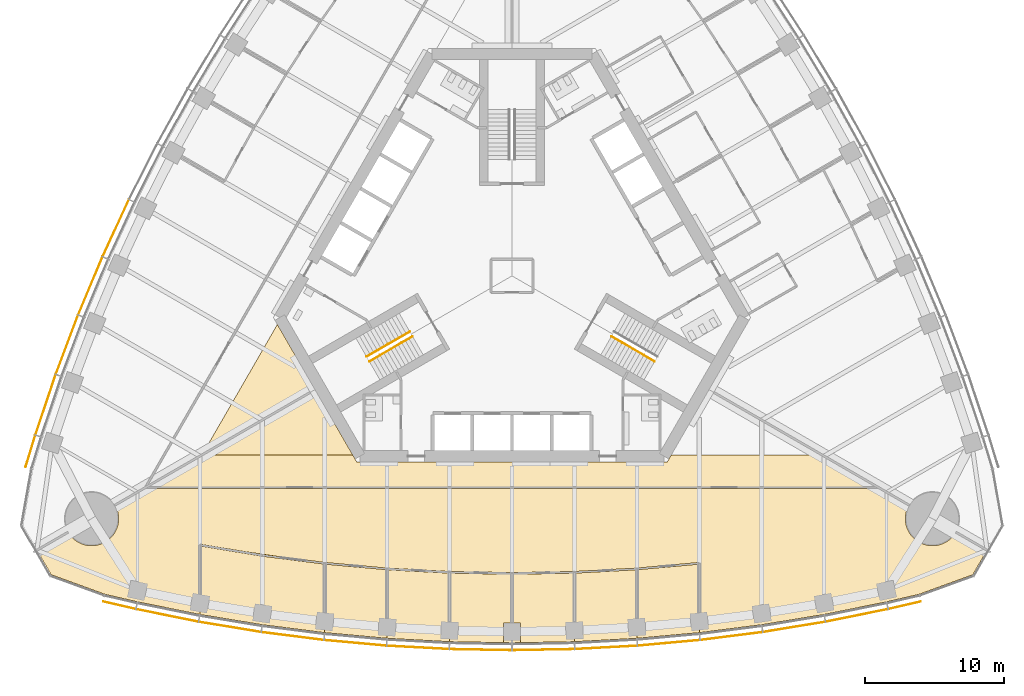
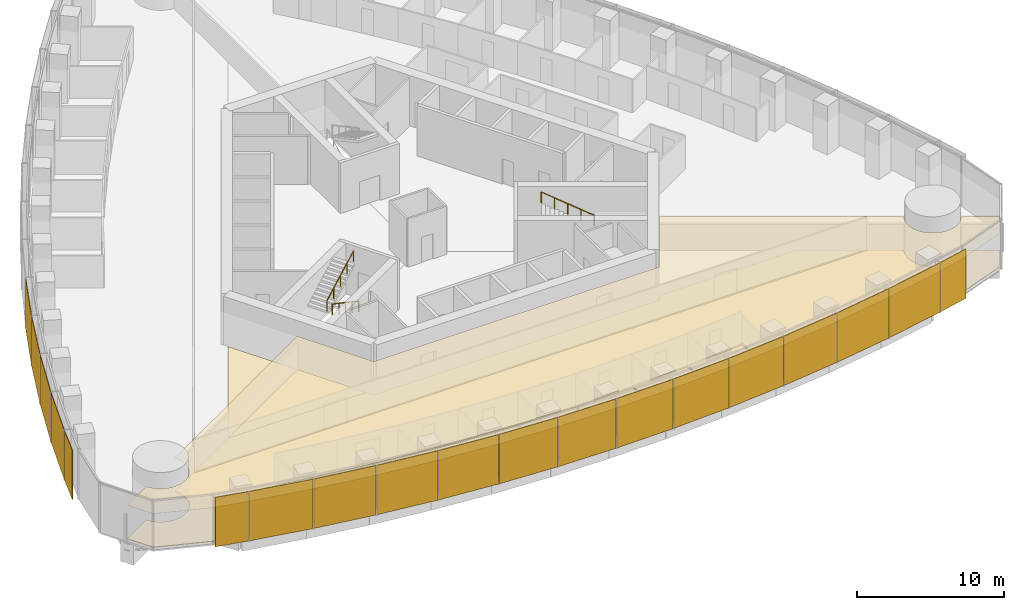
# One storey, part 17 of 21: 19 shading devices, 12 coverings, 3 railings.
"""IFC4 building model written with IfcOpenShell, lengths in metres."""

from ifc_helpers import new_model, si_unit, direction, frame, origin, origin_2d, place, context, subcontext, project, spatial, polyline, rectangle, circle, outline, extrude, material, layer, layer_set, type_object, element, save


model = new_model("IFC4")

# Units and contexts
model_context = context("Model", 3, precision=1e-05, world=origin(), true_north=direction((0.0, 1.0)))
body_context = subcontext(model_context, "Body", "Model", "MODEL_VIEW")
ifc_project = project(units=[si_unit("LENGTHUNIT", "METRE"), si_unit("AREAUNIT", "SQUARE_METRE"), si_unit("VOLUMEUNIT", "CUBIC_METRE"), si_unit("PLANEANGLEUNIT", "RADIAN"), si_unit("MASSUNIT", "GRAM", prefix="KILO")], contexts=[model_context])

# Site, building, storey
site_placement = place(None, origin())
site = spatial("IfcSite", under=ifc_project, at=site_placement, CompositionType="ELEMENT")
building_placement = place(site_placement, origin())
building = spatial("IfcBuilding", under=site, at=building_placement, Name="Trefoil Bronze Tower", CompositionType="ELEMENT")
storey_placement = place(building_placement, frame((0.0, 0.0, 153.5)))
storey = spatial("IfcBuildingStorey", under=building, at=storey_placement, Name="L35", CompositionType="ELEMENT", Elevation=153.5)

# Shading devices
ifc_material_1 = material(Name="Perforated bronze sheet", Category="bronze")
ifc_layer_1 = layer(ifc_material_1, 0.0400390625)
ifc_layer_set_1 = layer_set([ifc_layer_1], Name="Bronze solar screen panel")
shading_device_type = type_object("IfcShadingDeviceType", Name="Bronze solar screen panel", PredefinedType="SHUTTER", material=ifc_layer_set_1)
shading_device_1_placement = place(storey_placement, frame((-28.30078125, -23.748779296875, 0.050048828125), z_axis=(0.0, 0.0, 1.0), x_axis=(0.97420444715, -0.225667222151, 0.0)))
element("IfcShadingDevice", 1, at=shading_device_1_placement, inside=storey, type_object=shading_device_type, Name="Solar screen CW-A L35 F1 bay 1", PredefinedType="SHUTTER", context=body_context, shape_type="SweptSolid", body=[
    extrude(rectangle(XDim=2.39013671875, YDim=0.0400390625, at=origin_2d()), origin(), (0.0, 0.0, 1.0), 4.10009765625),
])
shading_device_2_placement = place(storey_placement, frame((-24.85693359375, -24.480224609375, 0.050048828125), z_axis=(0.0, 0.0, 1.0), x_axis=(0.980155155547, -0.198231861853, 0.0)))
element("IfcShadingDevice", 2, at=shading_device_2_placement, inside=storey, type_object=shading_device_type, Name="Solar screen CW-A L35 F1 bay 2", PredefinedType="SHUTTER", context=body_context, shape_type="SweptSolid", body=[
    extrude(rectangle(XDim=4.56103515625, YDim=0.0400390625, at=origin_2d()), origin(), (0.0, 0.0, 1.0), 4.10009765625),
])
shading_device_3_placement = place(storey_placement, frame((-20.337646484375, -25.30859375, 0.050048828125), z_axis=(0.0, 0.0, 1.0), x_axis=(0.986759655731, -0.162189339418, 0.0)))
element("IfcShadingDevice", 3, at=shading_device_3_placement, inside=storey, type_object=shading_device_type, Name="Solar screen CW-A L35 F1 bay 3", PredefinedType="SHUTTER", context=body_context, shape_type="SweptSolid", body=[
    extrude(rectangle(XDim=4.5302734375, YDim=0.0400390625, at=origin_2d()), origin(), (0.0, 0.0, 1.0), 4.10009765625),
])
shading_device_4_placement = place(storey_placement, frame((-15.818115234375, -25.96728515625, 0.050048828125), z_axis=(0.0, 0.0, 1.0), x_axis=(0.992011554286, -0.126147041833, 0.0)))
element("IfcShadingDevice", 4, at=shading_device_4_placement, inside=storey, type_object=shading_device_type, Name="Solar screen CW-A L35 F1 bay 4", PredefinedType="SHUTTER", context=body_context, shape_type="SweptSolid", body=[
    extrude(rectangle(XDim=4.50634765625, YDim=0.0400390625, at=origin_2d()), origin(), (0.0, 0.0, 1.0), 4.10009765625),
])
shading_device_5_placement = place(storey_placement, frame((-11.298583984375, -26.459228515625, 0.050048828125), z_axis=(0.0, 0.0, 1.0), x_axis=(0.995932279146, -0.090104913044, 0.0)))
element("IfcShadingDevice", 5, at=shading_device_5_placement, inside=storey, type_object=shading_device_type, Name="Solar screen CW-A L35 F1 bay 5", PredefinedType="SHUTTER", context=body_context, shape_type="SweptSolid", body=[
    extrude(rectangle(XDim=4.48828125, YDim=0.0400390625, at=origin_2d()), origin(), (0.0, 0.0, 1.0), 4.10009765625),
])
shading_device_6_placement = place(storey_placement, frame((-6.779296875, -26.785888671875, 0.050048828125), z_axis=(0.0, 0.0, 1.0), x_axis=(0.998537531923, -0.054062901701, 0.0)))
element("IfcShadingDevice", 6, at=shading_device_6_placement, inside=storey, type_object=shading_device_type, Name="Solar screen CW-A L35 F1 bay 6", PredefinedType="SHUTTER", context=body_context, shape_type="SweptSolid", body=[
    extrude(rectangle(XDim=4.4765625, YDim=0.0400390625, at=origin_2d()), origin(), (0.0, 0.0, 1.0), 4.10009765625),
])
for number, where, z_axis, x_axis, name in (
    (7, (-2.259765625, -26.948974609375, 0.050048828125), (0.0, 0.0, 1.0), (0.999837609322, -0.018020959612, 0.0), "Solar screen CW-A L35 F1 bay 7"),
    (8, (2.259765625, -26.948974609375, 0.050048828125), (0.0, 0.0, 1.0), (0.999837609322, 0.018020959612, 0.0), "Solar screen CW-A L35 F1 bay 8"),
):
    element("IfcShadingDevice", number, at=place(storey_placement, frame(where, z_axis=z_axis, x_axis=x_axis)), inside=storey, type_object=shading_device_type, Name=name, PredefinedType="SHUTTER", context=body_context, shape_type="SweptSolid", body=[
        extrude(rectangle(XDim=4.470703125, YDim=0.0400390625, at=origin_2d()), origin(), (0.0, 0.0, 1.0), 4.10009765625),
    ])
shading_device_7_placement = place(storey_placement, frame((6.779296875, -26.785888671875, 0.050048828125), z_axis=(0.0, 0.0, 1.0), x_axis=(0.998537531923, 0.054062901701, 0.0)))
element("IfcShadingDevice", 9, at=shading_device_7_placement, inside=storey, type_object=shading_device_type, Name="Solar screen CW-A L35 F1 bay 9", PredefinedType="SHUTTER", context=body_context, shape_type="SweptSolid", body=[
    extrude(rectangle(XDim=4.4765625, YDim=0.0400390625, at=origin_2d()), origin(), (0.0, 0.0, 1.0), 4.10009765625),
])
shading_device_8_placement = place(storey_placement, frame((11.298583984375, -26.459228515625, 0.050048828125), z_axis=(0.0, 0.0, 1.0), x_axis=(0.995932279146, 0.090104913044, 0.0)))
element("IfcShadingDevice", 10, at=shading_device_8_placement, inside=storey, type_object=shading_device_type, Name="Solar screen CW-A L35 F1 bay 10", PredefinedType="SHUTTER", context=body_context, shape_type="SweptSolid", body=[
    extrude(rectangle(XDim=4.48828125, YDim=0.0400390625, at=origin_2d()), origin(), (0.0, 0.0, 1.0), 4.10009765625),
])
shading_device_9_placement = place(storey_placement, frame((15.818115234375, -25.96728515625, 0.050048828125), z_axis=(0.0, 0.0, 1.0), x_axis=(0.992011554286, 0.126147041833, 0.0)))
element("IfcShadingDevice", 11, at=shading_device_9_placement, inside=storey, type_object=shading_device_type, Name="Solar screen CW-A L35 F1 bay 11", PredefinedType="SHUTTER", context=body_context, shape_type="SweptSolid", body=[
    extrude(rectangle(XDim=4.50634765625, YDim=0.0400390625, at=origin_2d()), origin(), (0.0, 0.0, 1.0), 4.10009765625),
])
shading_device_10_placement = place(storey_placement, frame((20.337646484375, -25.30859375, 0.050048828125), z_axis=(0.0, 0.0, 1.0), x_axis=(0.986759655731, 0.162189339418, 0.0)))
element("IfcShadingDevice", 12, at=shading_device_10_placement, inside=storey, type_object=shading_device_type, Name="Solar screen CW-A L35 F1 bay 12", PredefinedType="SHUTTER", context=body_context, shape_type="SweptSolid", body=[
    extrude(rectangle(XDim=4.5302734375, YDim=0.0400390625, at=origin_2d()), origin(), (0.0, 0.0, 1.0), 4.10009765625),
])
shading_device_11_placement = place(storey_placement, frame((24.85693359375, -24.480224609375, 0.050048828125), z_axis=(0.0, 0.0, 1.0), x_axis=(0.980155155547, 0.198231861853, 0.0)))
element("IfcShadingDevice", 13, at=shading_device_11_placement, inside=storey, type_object=shading_device_type, Name="Solar screen CW-A L35 F1 bay 13", PredefinedType="SHUTTER", context=body_context, shape_type="SweptSolid", body=[
    extrude(rectangle(XDim=4.56103515625, YDim=0.0400390625, at=origin_2d()), origin(), (0.0, 0.0, 1.0), 4.10009765625),
])
shading_device_12_placement = place(storey_placement, frame((28.30078125, -23.748779296875, 0.050048828125), z_axis=(0.0, 0.0, 1.0), x_axis=(0.97420444715, 0.225667222151, 0.0)))
element("IfcShadingDevice", 14, at=shading_device_12_placement, inside=storey, type_object=shading_device_type, Name="Solar screen CW-A L35 F1 bay 14", PredefinedType="SHUTTER", context=body_context, shape_type="SweptSolid", body=[
    extrude(rectangle(XDim=2.39013671875, YDim=0.0400390625, at=origin_2d()), origin(), (0.0, 0.0, 1.0), 4.10009765625),
])
shading_device_13_placement = place(storey_placement, frame((-28.563720703125, 3.444580078125, 0.050048828125), z_axis=(0.0, 0.0, 1.0), x_axis=(-0.419932995871, -0.907555110712, 0.0)))
element("IfcShadingDevice", 15, at=shading_device_13_placement, inside=storey, type_object=shading_device_type, Name="Solar screen CW-A L35 F3 bay 10", PredefinedType="SHUTTER", context=body_context, shape_type="SweptSolid", body=[
    extrude(rectangle(XDim=4.48828125, YDim=0.0400390625, at=origin_2d()), origin(), (0.0, 0.0, 1.0), 4.10009765625),
])
shading_device_14_placement = place(storey_placement, frame((-30.3974609375, -0.715087890625, 0.050048828125), z_axis=(0.0, 0.0, 1.0), x_axis=(-0.386759234303, -0.922180727776, 0.0)))
element("IfcShadingDevice", 16, at=shading_device_14_placement, inside=storey, type_object=shading_device_type, Name="Solar screen CW-A L35 F3 bay 11", PredefinedType="SHUTTER", context=body_context, shape_type="SweptSolid", body=[
    extrude(rectangle(XDim=4.50634765625, YDim=0.0400390625, at=origin_2d()), origin(), (0.0, 0.0, 1.0), 4.10009765625),
])
shading_device_15_placement = place(storey_placement, frame((-32.086669921875, -4.95849609375, 0.050048828125), z_axis=(0.0, 0.0, 1.0), x_axis=(-0.352919739707, -0.935653599002, 0.0)))
element("IfcShadingDevice", 17, at=shading_device_15_placement, inside=storey, type_object=shading_device_type, Name="Solar screen CW-A L35 F3 bay 12", PredefinedType="SHUTTER", context=body_context, shape_type="SweptSolid", body=[
    extrude(rectangle(XDim=4.5302734375, YDim=0.0400390625, at=origin_2d()), origin(), (0.0, 0.0, 1.0), 4.10009765625),
])
shading_device_16_placement = place(storey_placement, frame((-33.62890625, -9.286865234375, 0.050048828125), z_axis=(0.0, 0.0, 1.0), x_axis=(-0.318403749569, -0.947955195281, 0.0)))
element("IfcShadingDevice", 18, at=shading_device_16_placement, inside=storey, type_object=shading_device_type, Name="Solar screen CW-A L35 F3 bay 13", PredefinedType="SHUTTER", context=body_context, shape_type="SweptSolid", body=[
    extrude(rectangle(XDim=4.56103515625, YDim=0.0400390625, at=origin_2d()), origin(), (0.0, 0.0, 1.0), 4.10009765625),
])
shading_device_17_placement = place(storey_placement, frame((-34.717529296875, -12.634765625, 0.050048828125), z_axis=(0.0, 0.0, 1.0), x_axis=(-0.291668676391, -0.956519410787, 0.0)))
element("IfcShadingDevice", 19, at=shading_device_17_placement, inside=storey, type_object=shading_device_type, Name="Solar screen CW-A L35 F3 bay 14", PredefinedType="SHUTTER", context=body_context, shape_type="SweptSolid", body=[
    extrude(rectangle(XDim=2.39013671875, YDim=0.0400390625, at=origin_2d()), origin(), (0.0, 0.0, 1.0), 4.10009765625),
])

# Railings
ifc_material_2 = material(Name="Steel handrail", Category="steel")
railing_type = type_object("IfcRailingType", Name="Handrail 900", PredefinedType="HANDRAIL", material=ifc_material_2)
railing_1_placement = place(storey_placement, frame((10.28369140625, -6.168212890625, 2.261474609375)))
element("IfcRailing", 20, at=railing_1_placement, inside=storey, type_object=railing_type, Name="Handrail ST1 flight 2 L35", PredefinedType="HANDRAIL", context=body_context, shape_type="SweptSolid", body=[
    extrude(circle(Radius=0.02392578125, at=origin_2d()), frame((0.0, 0.0, 0.8759765625), z_axis=(-0.76250339821, 0.440245697338, 0.474101564745), x_axis=(-0.500012057535, -0.866018442252, 0.0)), (0.0, 0.0, 1.0), 4.088623046875),
    extrude(circle(Radius=0.02099609375, at=origin_2d()), origin(), (0.0, 0.0, 1.0), 0.851806640625),
    extrude(circle(Radius=0.02099609375, at=origin_2d()), frame((-0.779296875, 0.449951171875, 0.484619140625)), (0.0, 0.0, 1.0), 0.851806640625),
    extrude(circle(Radius=0.02099609375, at=origin_2d()), frame((-1.558837890625, 0.89990234375, 0.96923828125)), (0.0, 0.0, 1.0), 0.851806640625),
    extrude(circle(Radius=0.02099609375, at=origin_2d()), frame((-2.33837890625, 1.35009765625, 1.453857421875)), (0.0, 0.0, 1.0), 0.851806640625),
    extrude(circle(Radius=0.02099609375, at=origin_2d()), frame((-3.11767578125, 1.800048828125, 1.9384765625)), (0.0, 0.0, 1.0), 0.851806640625),
])
railing_2_placement = place(storey_placement, frame((-7.166015625, -4.3681640625, 0.16162109375)))
element("IfcRailing", 21, at=railing_2_placement, inside=storey, type_object=railing_type, Name="Handrail ST3 flight 1 L35", PredefinedType="HANDRAIL", context=body_context, shape_type="SweptSolid", body=[
    extrude(circle(Radius=0.02392578125, at=origin_2d()), frame((0.0, 0.0, 0.8759765625), z_axis=(-0.76250339821, -0.440245697338, 0.474101564745), x_axis=(0.500012057535, -0.866018442252, 0.0)), (0.0, 0.0, 1.0), 4.088623046875),
    extrude(circle(Radius=0.02099609375, at=origin_2d()), origin(), (0.0, 0.0, 1.0), 0.851806640625),
    extrude(circle(Radius=0.02099609375, at=origin_2d()), frame((-0.779296875, -0.449951171875, 0.484619140625)), (0.0, 0.0, 1.0), 0.851806640625),
    extrude(circle(Radius=0.02099609375, at=origin_2d()), frame((-1.558837890625, -0.89990234375, 0.96923828125)), (0.0, 0.0, 1.0), 0.851806640625),
    extrude(circle(Radius=0.02099609375, at=origin_2d()), frame((-2.33837890625, -1.35009765625, 1.453857421875)), (0.0, 0.0, 1.0), 0.851806640625),
    extrude(circle(Radius=0.02099609375, at=origin_2d()), frame((-3.11767578125, -1.800048828125, 1.9384765625)), (0.0, 0.0, 1.0), 0.851806640625),
])
railing_3_placement = place(storey_placement, frame((-10.483642578125, -5.82177734375, 2.261474609375)))
element("IfcRailing", 22, at=railing_3_placement, inside=storey, type_object=railing_type, Name="Handrail ST3 flight 2 L35", PredefinedType="HANDRAIL", context=body_context, shape_type="SweptSolid", body=[
    extrude(circle(Radius=0.02392578125, at=origin_2d()), frame((0.0, 0.0, 0.8759765625), z_axis=(0.76250339821, 0.440245697338, 0.474101564745), x_axis=(-0.500012057535, 0.866018442252, 0.0)), (0.0, 0.0, 1.0), 4.088623046875),
    extrude(circle(Radius=0.02099609375, at=origin_2d()), origin(), (0.0, 0.0, 1.0), 0.851806640625),
    extrude(circle(Radius=0.02099609375, at=origin_2d()), frame((0.779296875, 0.449951171875, 0.484619140625)), (0.0, 0.0, 1.0), 0.851806640625),
    extrude(circle(Radius=0.02099609375, at=origin_2d()), frame((1.558837890625, 0.89990234375, 0.96923828125)), (0.0, 0.0, 1.0), 0.851806640625),
    extrude(circle(Radius=0.02099609375, at=origin_2d()), frame((2.33837890625, 1.35009765625, 1.453857421875)), (0.0, 0.0, 1.0), 0.851806640625),
    extrude(circle(Radius=0.02099609375, at=origin_2d()), frame((3.11767578125, 1.800048828125, 1.9384765625)), (0.0, 0.0, 1.0), 0.851806640625),
])

# Coverings
ifc_material_3 = material(Name="Acoustic ceiling panels", Category="mineral fibre")
ifc_layer_2 = layer(ifc_material_3, 0.02001953125)
ifc_layer_set_2 = layer_set([ifc_layer_2], Name="Office ceiling 20")
covering_type_1 = type_object("IfcCoveringType", Name="Office ceiling 20", PredefinedType="CEILING", material=ifc_layer_set_2)
covering_1_placement = place(storey_placement, frame((0.0, 0.0, 2.89990234375)))
element("IfcCovering", 23, at=covering_1_placement, inside=storey, type_object=covering_type_1, Name="Ceiling L35 Open-plan office F1", PredefinedType="CEILING", context=body_context, shape_type="SweptSolid", body=[
    extrude(outline(polyline([(-31.932373046875, -18.58349609375), (-31.877197265625, -18.66162109375), (-31.818359375, -18.737060546875), (-31.755615234375, -18.8095703125), (-31.689697265625, -18.87890625), (-31.620361328125, -18.94482421875), (-31.548095703125, -19.00732421875), (-31.472412109375, -19.06640625), (-31.394287109375, -19.121337890625), (-31.3134765625, -19.172607421875), (-31.22998046875, -19.2197265625), (-31.14453125, -19.2626953125), (-31.05712890625, -19.301513671875), (-30.9677734375, -19.3359375), (-30.876953125, -19.365966796875), (-30.78466796875, -19.3916015625), (-30.69140625, -19.41259765625), (-30.596923828125, -19.428955078125), (-30.501953125, -19.440673828125), (-30.406494140625, -19.44775390625), (-30.310791015625, -19.449951171875), (-30.215087890625, -19.44775390625), (-30.119873046875, -19.440673828125), (-30.02490234375, -19.428955078125), (-29.930419921875, -19.41259765625), (-29.837158203125, -19.3916015625), (-29.744873046875, -19.365966796875), (-29.654052734375, -19.3359375), (-29.564697265625, -19.301513671875), (-29.477294921875, -19.2626953125), (-29.3916015625, -19.2197265625), (-29.308349609375, -19.172607421875), (-29.2275390625, -19.121337890625), (-29.1494140625, -19.06640625), (-29.07373046875, -19.00732421875), (-29.001220703125, -18.94482421875), (-28.931884765625, -18.87890625), (-28.865966796875, -18.8095703125), (-28.803466796875, -18.737060546875), (-28.74462890625, -18.66162109375), (-28.689453125, -18.58349609375), (-28.63818359375, -18.50244140625), (-28.591064453125, -18.419189453125), (-28.548095703125, -18.333740234375), (-28.50927734375, -18.24609375), (-28.474853515625, -18.156982421875), (-28.44482421875, -18.066162109375), (-28.419189453125, -17.973876953125), (-28.3984375, -17.88037109375), (-28.382080078125, -17.7861328125), (-28.370361328125, -17.691162109375), (-28.36328125, -17.595703125), (-28.36083984375, -17.5), (-28.36328125, -17.404296875), (-28.370361328125, -17.308837890625), (-28.382080078125, -17.2138671875), (-28.3984375, -17.11962890625), (-28.419189453125, -17.026123046875), (-28.44482421875, -16.933837890625), (-28.474853515625, -16.843017578125), (-28.50927734375, -16.75390625), (-28.548095703125, -16.666259765625), (-28.591064453125, -16.580810546875), (-28.616455078125, -16.535888671875), (-14.19970703125, -8.205322265625), (-11.20068359375, -13.39990234375), (11.20068359375, -13.39990234375), (14.19970703125, -8.205322265625), (28.616455078125, -16.535888671875), (28.591064453125, -16.580810546875), (28.548095703125, -16.666259765625), (28.50927734375, -16.75390625), (28.474853515625, -16.843017578125), (28.44482421875, -16.933837890625), (28.419189453125, -17.026123046875), (28.3984375, -17.11962890625), (28.382080078125, -17.2138671875), (28.370361328125, -17.308837890625), (28.36328125, -17.404296875), (28.36083984375, -17.5), (28.36328125, -17.595703125), (28.370361328125, -17.691162109375), (28.382080078125, -17.7861328125), (28.3984375, -17.88037109375), (28.419189453125, -17.973876953125), (28.44482421875, -18.066162109375), (28.474853515625, -18.156982421875), (28.50927734375, -18.24609375), (28.548095703125, -18.333740234375), (28.591064453125, -18.419189453125), (28.63818359375, -18.50244140625), (28.689453125, -18.58349609375), (28.74462890625, -18.66162109375), (28.803466796875, -18.737060546875), (28.865966796875, -18.8095703125), (28.931884765625, -18.87890625), (29.001220703125, -18.94482421875), (29.07373046875, -19.00732421875), (29.1494140625, -19.06640625), (29.2275390625, -19.121337890625), (29.308349609375, -19.172607421875), (29.3916015625, -19.2197265625), (29.477294921875, -19.2626953125), (29.564697265625, -19.301513671875), (29.654052734375, -19.3359375), (29.744873046875, -19.365966796875), (29.837158203125, -19.3916015625), (29.930419921875, -19.41259765625), (30.02490234375, -19.428955078125), (30.119873046875, -19.440673828125), (30.215087890625, -19.44775390625), (30.310791015625, -19.449951171875), (30.406494140625, -19.44775390625), (30.501953125, -19.440673828125), (30.596923828125, -19.428955078125), (30.69140625, -19.41259765625), (30.78466796875, -19.3916015625), (30.876953125, -19.365966796875), (30.9677734375, -19.3359375), (31.05712890625, -19.301513671875), (31.14453125, -19.2626953125), (31.22998046875, -19.2197265625), (31.3134765625, -19.172607421875), (31.394287109375, -19.121337890625), (31.472412109375, -19.06640625), (31.548095703125, -19.00732421875), (31.620361328125, -18.94482421875), (31.689697265625, -18.87890625), (31.755615234375, -18.8095703125), (31.818359375, -18.737060546875), (31.877197265625, -18.66162109375), (31.932373046875, -18.58349609375), (31.992431640625, -18.48681640625), (34.233154296875, -19.781494140625), (33.21435546875, -21.5458984375), (29.357666015625, -22.94970703125), (27.0, -23.495849609375), (22.5, -24.406005859375), (18.0, -25.1455078125), (13.5, -25.7177734375), (9.0, -26.125), (4.5, -26.36865234375), (0.0, -26.44970703125), (-4.5, -26.36865234375), (-9.0, -26.125), (-13.5, -25.7177734375), (-18.0, -25.1455078125), (-22.5, -24.406005859375), (-27.0, -23.495849609375), (-29.357666015625, -22.94970703125), (-33.21435546875, -21.5458984375), (-34.233154296875, -19.781494140625), (-31.992431640625, -18.48681640625), (-31.932373046875, -18.58349609375)])), origin(), (0.0, 0.0, 1.0), 0.02001953125),
])
ifc_material_4 = material(Name="Raised access floor panels", Category="steel")
ifc_layer_3 = layer(ifc_material_4, 0.050048828125)
ifc_layer_set_3 = layer_set([ifc_layer_3], Name="Raised access floor 150")
covering_type_2 = type_object("IfcCoveringType", Name="Raised access floor 150", PredefinedType="FLOORING", material=ifc_layer_set_3)
covering_2_placement = place(storey_placement, frame((0.0, 0.0, 0.10009765625)))
element("IfcCovering", 24, at=covering_2_placement, inside=storey, type_object=covering_type_2, Name="Raised floor L35 Kitchen and breakout F1", PredefinedType="FLOORING", context=body_context, shape_type="SweptSolid", body=[
    extrude(outline(polyline([(-13.5, -25.7177734375), (-18.0, -25.1455078125), (-22.5, -24.406005859375), (-22.5, -22.927001953125), (-22.43994140625, -22.927001953125), (-22.43994140625, -19.4765625), (-18.009765625, -20.204833984375), (-18.0, -20.1455078125), (-18.007568359375, -20.205078125), (-13.56005859375, -20.770751953125), (-13.56005859375, -24.25439453125), (-13.5, -24.25439453125), (-13.5, -25.7177734375)])), origin(), (0.0, 0.0, 1.0), 0.0498046875),
])
covering_3_placement = place(storey_placement, frame((0.0, 0.0, 0.10009765625)))
element("IfcCovering", 25, at=covering_3_placement, inside=storey, type_object=covering_type_2, Name="Raised floor L35 Office F1", PredefinedType="FLOORING", context=body_context, shape_type="SweptSolid", body=[
    extrude(outline(polyline([(-13.5, -24.25439453125), (-13.43994140625, -24.25439453125), (-13.43994140625, -20.783447265625), (-9.06005859375, -21.1796875), (-9.06005859375, -24.666259765625), (-9.0, -24.666259765625), (-9.0, -26.125), (-13.5, -25.7177734375), (-13.5, -24.25439453125)])), origin(), (0.0, 0.0, 1.0), 0.0498046875),
])
covering_4_placement = place(storey_placement, frame((0.0, 0.0, 0.10009765625)))
element("IfcCovering", 26, at=covering_4_placement, inside=storey, type_object=covering_type_2, Name="Raised floor L35 Office F1", PredefinedType="FLOORING", context=body_context, shape_type="SweptSolid", body=[
    extrude(outline(polyline([(-9.0, -24.666259765625), (-8.93994140625, -24.666259765625), (-8.93994140625, -21.188232421875), (-4.56005859375, -21.42529296875), (-4.56005859375, -24.91259765625), (-4.5, -24.91259765625), (-4.5, -26.36865234375), (-9.0, -26.125), (-9.0, -24.666259765625)])), origin(), (0.0, 0.0, 1.0), 0.0498046875),
])
covering_5_placement = place(storey_placement, frame((0.0, 0.0, 0.10009765625)))
element("IfcCovering", 27, at=covering_5_placement, inside=storey, type_object=covering_type_2, Name="Raised floor L35 Office F1", PredefinedType="FLOORING", context=body_context, shape_type="SweptSolid", body=[
    extrude(outline(polyline([(-4.5, -24.91259765625), (-4.43994140625, -24.91259765625), (-4.43994140625, -21.4296875), (-0.06005859375, -21.508544921875), (-0.06005859375, -24.99462890625), (0.0, -24.99462890625), (0.0, -25.023681640625), (-0.6259765625, -25.023681640625), (-0.6259765625, -26.4384765625), (-4.5, -26.36865234375), (-4.5, -24.91259765625)])), origin(), (0.0, 0.0, 1.0), 0.0498046875),
])
covering_6_placement = place(storey_placement, frame((0.0, 0.0, 0.10009765625)))
element("IfcCovering", 28, at=covering_6_placement, inside=storey, type_object=covering_type_2, Name="Raised floor L35 Office F1", PredefinedType="FLOORING", context=body_context, shape_type="SweptSolid", body=[
    extrude(outline(polyline([(0.0, -24.99462890625), (0.06005859375, -24.99462890625), (0.06005859375, -21.508544921875), (4.43994140625, -21.4296875), (4.43994140625, -24.91259765625), (4.5, -24.91259765625), (4.5, -26.36865234375), (0.6259765625, -26.4384765625), (0.6259765625, -25.023681640625), (0.0, -25.023681640625), (0.0, -24.99462890625)])), origin(), (0.0, 0.0, 1.0), 0.0498046875),
])
covering_7_placement = place(storey_placement, frame((0.0, 0.0, 0.10009765625)))
element("IfcCovering", 29, at=covering_7_placement, inside=storey, type_object=covering_type_2, Name="Raised floor L35 Meeting room F1", PredefinedType="FLOORING", context=body_context, shape_type="SweptSolid", body=[
    extrude(outline(polyline([(4.5, -24.91259765625), (4.56005859375, -24.91259765625), (4.56005859375, -21.42529296875), (8.93994140625, -21.188232421875), (8.93994140625, -24.666259765625), (9.0, -24.666259765625), (9.0, -26.125), (4.5, -26.36865234375), (4.5, -24.91259765625)])), origin(), (0.0, 0.0, 1.0), 0.0498046875),
])
covering_8_placement = place(storey_placement, frame((0.0, 0.0, 0.10009765625)))
element("IfcCovering", 30, at=covering_8_placement, inside=storey, type_object=covering_type_2, Name="Raised floor L35 Meeting room F1", PredefinedType="FLOORING", context=body_context, shape_type="SweptSolid", body=[
    extrude(outline(polyline([(9.0, -24.666259765625), (9.06005859375, -24.666259765625), (9.06005859375, -21.1796875), (13.43994140625, -20.783447265625), (13.43994140625, -24.25439453125), (13.5, -24.25439453125), (13.5, -25.7177734375), (9.0, -26.125), (9.0, -24.666259765625)])), origin(), (0.0, 0.0, 1.0), 0.0498046875),
])
covering_9_placement = place(storey_placement, frame((0.0, 0.0, 0.10009765625)))
element("IfcCovering", 31, at=covering_9_placement, inside=storey, type_object=covering_type_2, Name="Raised floor L35 Corridor F1", PredefinedType="FLOORING", context=body_context, shape_type="SweptSolid", body=[
    extrude(outline(polyline([(26.304443359375, -15.199951171875), (-26.304443359375, -15.199951171875), (-22.32421875, -12.89990234375), (-11.4892578125, -12.89990234375), (-11.20068359375, -13.39990234375), (11.20068359375, -13.39990234375), (11.4892578125, -12.89990234375), (22.32421875, -12.89990234375), (26.304443359375, -15.199951171875)])), origin(), (0.0, 0.0, 1.0), 0.0498046875),
])
covering_10_placement = place(storey_placement, frame((0.0, 0.0, 0.10009765625)))
element("IfcCovering", 32, at=covering_10_placement, inside=storey, type_object=covering_type_2, Name="Raised floor L35 Open-plan office F1", PredefinedType="FLOORING", context=body_context, shape_type="SweptSolid", body=[
    extrude(outline(polyline([(-28.591064453125, -16.580810546875), (-28.616455078125, -16.535888671875), (-26.398193359375, -15.254150390625), (-26.398193359375, -15.320068359375), (26.398193359375, -15.320068359375), (26.398193359375, -15.254150390625), (28.616455078125, -16.535888671875), (28.591064453125, -16.580810546875), (28.548095703125, -16.666259765625), (28.50927734375, -16.75390625), (28.474853515625, -16.843017578125), (28.44482421875, -16.933837890625), (28.419189453125, -17.026123046875), (28.3984375, -17.11962890625), (28.382080078125, -17.2138671875), (28.370361328125, -17.308837890625), (28.36328125, -17.404296875), (28.36083984375, -17.5), (28.36328125, -17.595703125), (28.370361328125, -17.691162109375), (28.382080078125, -17.7861328125), (28.3984375, -17.88037109375), (28.419189453125, -17.973876953125), (28.44482421875, -18.066162109375), (28.474853515625, -18.156982421875), (28.50927734375, -18.24609375), (28.548095703125, -18.333740234375), (28.591064453125, -18.419189453125), (28.63818359375, -18.50244140625), (28.689453125, -18.58349609375), (28.74462890625, -18.66162109375), (28.803466796875, -18.737060546875), (28.865966796875, -18.8095703125), (28.931884765625, -18.87890625), (29.001220703125, -18.94482421875), (29.07373046875, -19.00732421875), (29.1494140625, -19.06640625), (29.2275390625, -19.121337890625), (29.308349609375, -19.172607421875), (29.3916015625, -19.2197265625), (29.477294921875, -19.2626953125), (29.564697265625, -19.301513671875), (29.654052734375, -19.3359375), (29.744873046875, -19.365966796875), (29.837158203125, -19.3916015625), (29.930419921875, -19.41259765625), (30.02490234375, -19.428955078125), (30.119873046875, -19.440673828125), (30.215087890625, -19.44775390625), (30.310791015625, -19.449951171875), (30.406494140625, -19.44775390625), (30.501953125, -19.440673828125), (30.596923828125, -19.428955078125), (30.69140625, -19.41259765625), (30.78466796875, -19.3916015625), (30.876953125, -19.365966796875), (30.9677734375, -19.3359375), (31.05712890625, -19.301513671875), (31.14453125, -19.2626953125), (31.22998046875, -19.2197265625), (31.3134765625, -19.172607421875), (31.394287109375, -19.121337890625), (31.472412109375, -19.06640625), (31.548095703125, -19.00732421875), (31.620361328125, -18.94482421875), (31.689697265625, -18.87890625), (31.755615234375, -18.8095703125), (31.818359375, -18.737060546875), (31.877197265625, -18.66162109375), (31.932373046875, -18.58349609375), (31.992431640625, -18.48681640625), (34.233154296875, -19.781494140625), (33.21435546875, -21.5458984375), (29.357666015625, -22.94970703125), (27.0, -23.495849609375), (22.5, -24.406005859375), (18.0, -25.1455078125), (13.5, -25.7177734375), (13.5, -24.25439453125), (13.56005859375, -24.25439453125), (13.56005859375, -20.7177734375), (13.5, -20.7177734375), (13.49462890625, -20.657958984375), (8.99560546875, -21.065185546875), (4.497802734375, -21.30859375), (0.0, -21.3896484375), (-4.497802734375, -21.30859375), (-8.99560546875, -21.065185546875), (-13.493408203125, -20.658203125), (-16.75146484375, -20.243896484375), (-19.231201171875, -19.88232421875), (-22.490234375, -19.3466796875), (-22.5, -19.406005859375), (-22.56005859375, -19.406005859375), (-22.56005859375, -22.927001953125), (-22.5, -22.927001953125), (-22.5, -24.406005859375), (-27.0, -23.495849609375), (-29.357666015625, -22.94970703125), (-33.21435546875, -21.5458984375), (-34.233154296875, -19.781494140625), (-31.992431640625, -18.48681640625), (-31.932373046875, -18.58349609375), (-31.877197265625, -18.66162109375), (-31.818359375, -18.737060546875), (-31.755615234375, -18.8095703125), (-31.689697265625, -18.87890625), (-31.620361328125, -18.94482421875), (-31.548095703125, -19.00732421875), (-31.472412109375, -19.06640625), (-31.394287109375, -19.121337890625), (-31.3134765625, -19.172607421875), (-31.22998046875, -19.2197265625), (-31.14453125, -19.2626953125), (-31.05712890625, -19.301513671875), (-30.9677734375, -19.3359375), (-30.876953125, -19.365966796875), (-30.78466796875, -19.3916015625), (-30.69140625, -19.41259765625), (-30.596923828125, -19.428955078125), (-30.501953125, -19.440673828125), (-30.406494140625, -19.44775390625), (-30.310791015625, -19.449951171875), (-30.215087890625, -19.44775390625), (-30.119873046875, -19.440673828125), (-30.02490234375, -19.428955078125), (-29.930419921875, -19.41259765625), (-29.837158203125, -19.3916015625), (-29.744873046875, -19.365966796875), (-29.654052734375, -19.3359375), (-29.564697265625, -19.301513671875), (-29.477294921875, -19.2626953125), (-29.3916015625, -19.2197265625), (-29.308349609375, -19.172607421875), (-29.2275390625, -19.121337890625), (-29.1494140625, -19.06640625), (-29.07373046875, -19.00732421875), (-29.001220703125, -18.94482421875), (-28.931884765625, -18.87890625), (-28.865966796875, -18.8095703125), (-28.803466796875, -18.737060546875), (-28.74462890625, -18.66162109375), (-28.689453125, -18.58349609375), (-28.63818359375, -18.50244140625), (-28.591064453125, -18.419189453125), (-28.548095703125, -18.333740234375), (-28.50927734375, -18.24609375), (-28.474853515625, -18.156982421875), (-28.44482421875, -18.066162109375), (-28.419189453125, -17.973876953125), (-28.3984375, -17.88037109375), (-28.382080078125, -17.7861328125), (-28.370361328125, -17.691162109375), (-28.36328125, -17.595703125), (-28.36083984375, -17.5), (-28.36328125, -17.404296875), (-28.370361328125, -17.308837890625), (-28.382080078125, -17.2138671875), (-28.3984375, -17.11962890625), (-28.419189453125, -17.026123046875), (-28.44482421875, -16.933837890625), (-28.474853515625, -16.843017578125), (-28.50927734375, -16.75390625), (-28.548095703125, -16.666259765625), (-28.591064453125, -16.580810546875)])), origin(), (0.0, 0.0, 1.0), 0.0498046875),
])
covering_11_placement = place(storey_placement, frame((0.0, 0.0, 0.10009765625)))
element("IfcCovering", 33, at=covering_11_placement, inside=storey, type_object=covering_type_2, Name="Raised floor L35 Open-plan office F1", PredefinedType="FLOORING", context=body_context, shape_type="SweptSolid", body=[
    extrude(outline(polyline([(-22.32421875, -12.89990234375), (-14.19970703125, -8.205322265625), (-11.4892578125, -12.89990234375), (-22.32421875, -12.89990234375)])), origin(), (0.0, 0.0, 1.0), 0.0498046875),
])
covering_12_placement = place(storey_placement, frame((0.0, 0.0, 0.10009765625)))
element("IfcCovering", 34, at=covering_12_placement, inside=storey, type_object=covering_type_2, Name="Raised floor L35 Open-plan office F3", PredefinedType="FLOORING", context=body_context, shape_type="SweptSolid", body=[
    extrude(outline(polyline([(-16.91650390625, -3.5), (-14.205810546875, -8.194580078125), (-22.333740234375, -12.88330078125), (-16.91650390625, -3.5)])), origin(), (0.0, 0.0, 1.0), 0.0498046875),
])

save(model, "model.ifc")
